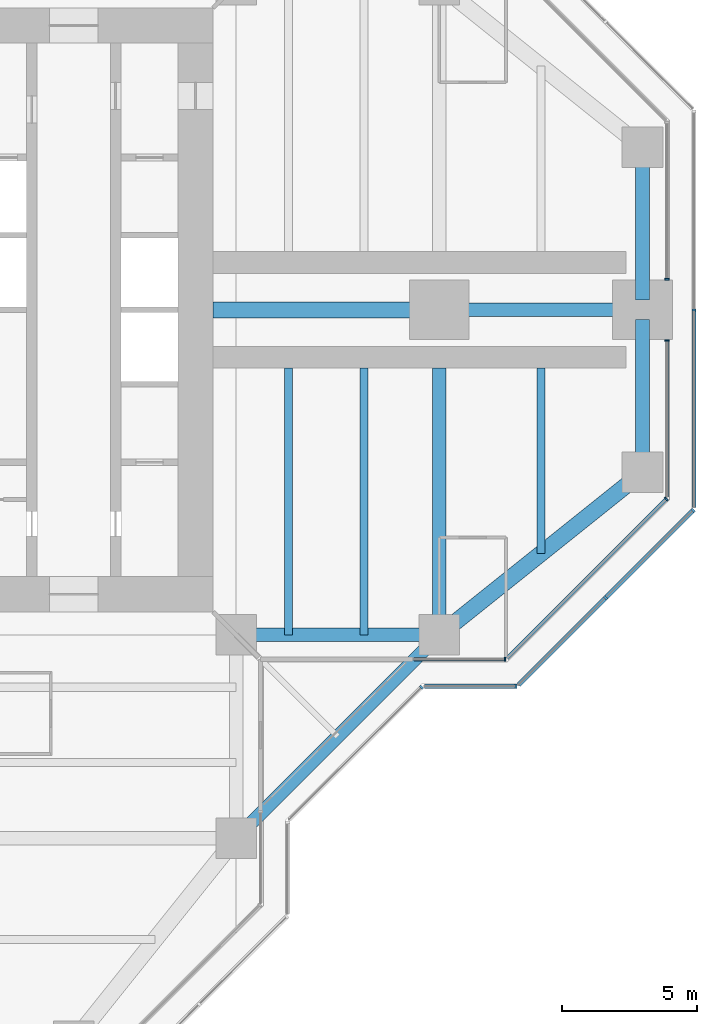
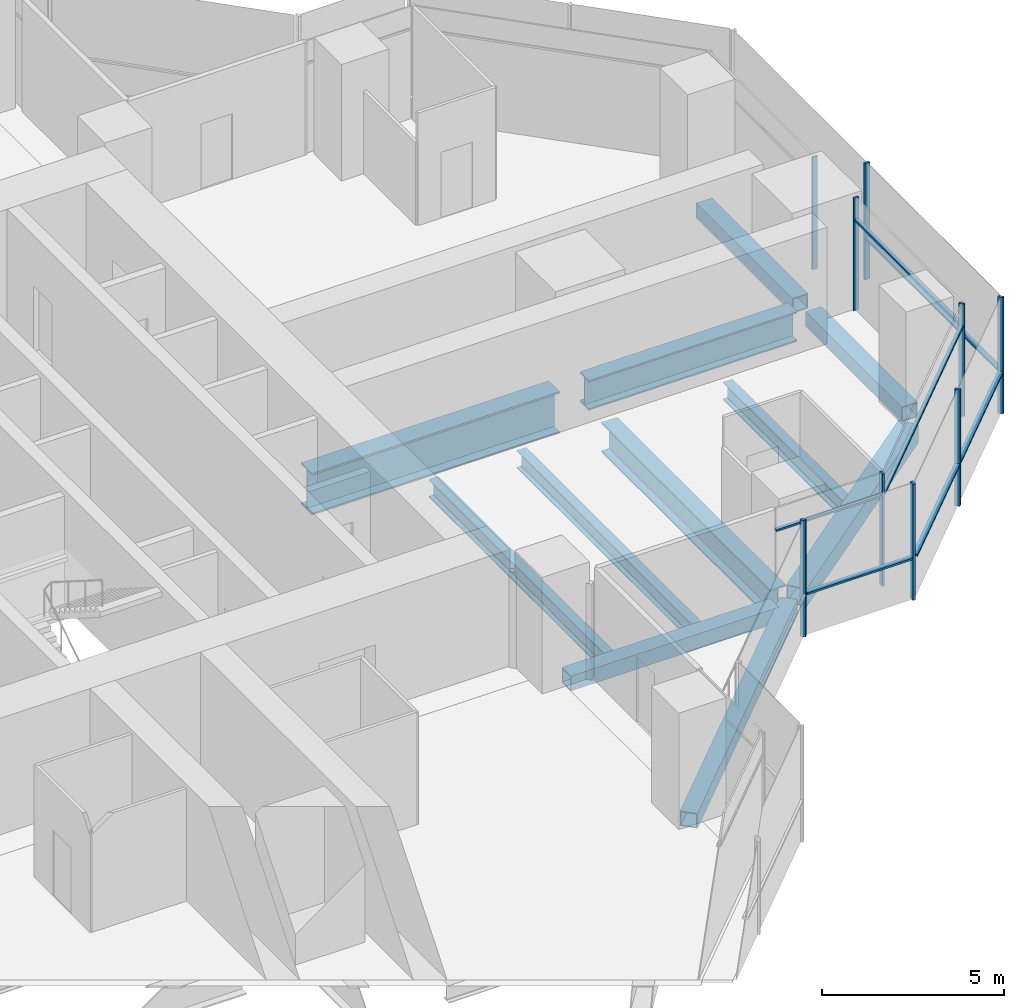
# One storey, part 5 of 17: 16 members, 11 beams, 8 elements without a shape of their own.
"""IFC4 building model written with IfcOpenShell, lengths in metres."""

import ifcopenshell
import ifcopenshell.guid

model = None  # the IFC model being written
_history = None  # IfcOwnerHistory: only IFC2X3 demands one
_inside = {}  # id of a spatial element -> (the spatial element, [elements in it])
_under = {}  # id of a project, library or spatial element -> (it, [spatial elements below it])
_declared = {}  # id of a project -> (the project, [libraries it declares])
_typed = {}  # id of a type object -> (the type object, [elements of that type])
_made_of = {}  # id of a material, layer set ... -> (it, [elements and type objects made of it])


def new_model(schema):
    """Start an empty IFC model of exactly this schema.

    Asked for "IFC4X3", IfcOpenShell would pick the latest addendum, in which some entities
    have other attributes; the version numbers below select the first issue.
    IFC2X3 requires an IfcOwnerHistory on every rooted entity: one is made here for all.
    """
    global model, _history
    if schema == "IFC4X3":
        model = ifcopenshell.file(schema_version=(4, 3, 0, 0))
    else:
        model = ifcopenshell.file(schema=schema)
    _inside.clear()
    _under.clear()
    _declared.clear()
    _typed.clear()
    _made_of.clear()
    _history = None
    if model.schema == "IFC2X3":
        org = make("IfcOrganization", Name="unknown")
        user = make(
            "IfcPersonAndOrganization",
            ThePerson=make("IfcPerson", FamilyName="unknown"),
            TheOrganization=org,
        )
        app = make(
            "IfcApplication",
            ApplicationDeveloper=org,
            Version="unknown",
            ApplicationFullName="unknown",
            ApplicationIdentifier="unknown",
        )
        _history = make(
            "IfcOwnerHistory",
            OwningUser=user,
            OwningApplication=app,
            ChangeAction="ADDED",
            CreationDate=0,
        )
    return model


def make(cls, **values):
    """One entity of the class cls with the attributes given. An attribute that is None is left unset."""
    return model.create_entity(
        cls, **{name: value for name, value in values.items() if value is not None}
    )


def rooted(cls, **values):
    """An entity with a GlobalId (a new one), such as an element, a storey or a relation."""
    return make(cls, GlobalId=ifcopenshell.guid.new(), OwnerHistory=_history, **values)


def si_unit(unit_type, name, prefix=None):
    """IfcSIUnit, for example si_unit("LENGTHUNIT", "METRE", prefix="MILLI")."""
    return make("IfcSIUnit", UnitType=unit_type, Prefix=prefix, Name=name)


def assignment(units):
    """IfcUnitAssignment: the units of a project."""
    return None if units is None else make("IfcUnitAssignment", Units=units)


def point(xyz):
    """IfcCartesianPoint."""
    return None if xyz is None else make("IfcCartesianPoint", Coordinates=xyz)


def direction(xyz):
    """IfcDirection."""
    return None if xyz is None else make("IfcDirection", DirectionRatios=xyz)


def frame(location, z_axis=None, x_axis=None):
    """IfcAxis2Placement3D, a coordinate frame: its origin and axes. An axis left out is left unset."""
    return make(
        "IfcAxis2Placement3D",
        Location=point(location),
        Axis=direction(z_axis),
        RefDirection=direction(x_axis),
    )


def frame_2d(location, x_axis=None):
    """IfcAxis2Placement2D, a coordinate frame in the plane: its origin and x axis."""
    return make(
        "IfcAxis2Placement2D", Location=point(location), RefDirection=direction(x_axis)
    )


def origin():
    """The frame at (0, 0, 0) with its axes left unset."""
    return frame((0.0, 0.0, 0.0))


def origin_2d():
    """The frame at (0, 0) in the plane with its x axis left unset."""
    return frame_2d((0.0, 0.0))


def place(relative_to, where):
    """IfcLocalPlacement: puts the frame where relative to a parent placement (None: the world)."""
    return make(
        "IfcLocalPlacement", PlacementRelTo=relative_to, RelativePlacement=where
    )


def context(
    kind, dimensions, precision=None, world=None, true_north=None, identifier=None
):
    """IfcGeometricRepresentationContext, for example the 3D "Model" context."""
    return make(
        "IfcGeometricRepresentationContext",
        ContextIdentifier=identifier,
        ContextType=kind,
        CoordinateSpaceDimension=dimensions,
        Precision=precision,
        WorldCoordinateSystem=world,
        TrueNorth=true_north,
    )


def subcontext(parent, identifier, kind, view, scale=None):
    """IfcGeometricRepresentationSubContext, for example "Body" below "Model"."""
    return make(
        "IfcGeometricRepresentationSubContext",
        ContextIdentifier=identifier,
        ContextType=kind,
        ParentContext=parent,
        TargetScale=scale,
        TargetView=view,
    )


def project(units=None, contexts=None):
    """IfcProject with its units and contexts."""
    return rooted(
        "IfcProject",
        Name="project",
        RepresentationContexts=contexts,
        UnitsInContext=assignment(units),
    )


def spatial(cls, under=None, at=None, **own):
    """A site, building, storey or space (cls), placed at a placement, below another one or the project."""
    s = rooted(cls, ObjectPlacement=at, **own)
    if under is not None:
        _under.setdefault(under.id(), (under, []))[1].append(s)
    return s


def profile(cls, at=None, kind="AREA", **sizes):
    """A parametric profile (cls). Its sizes go by their IFC names, for example OverallWidth=200.0."""
    return make(cls, ProfileType=kind, Position=at, **sizes)


def rectangle(**sizes):
    """IfcRectangleProfileDef."""
    return profile("IfcRectangleProfileDef", **sizes)


def hollow_rectangle(**sizes):
    """IfcRectangleHollowProfileDef."""
    return profile("IfcRectangleHollowProfileDef", **sizes)


def i_section(**sizes):
    """IfcIShapeProfileDef."""
    return profile("IfcIShapeProfileDef", **sizes)


def extrude(swept, where, along, depth):
    """IfcExtrudedAreaSolid: the profile swept, set in the frame where, extruded along a direction by depth."""
    return make(
        "IfcExtrudedAreaSolid",
        SweptArea=swept,
        Position=where,
        ExtrudedDirection=direction(along),
        Depth=depth,
    )


def shape(context_of_items, identifier, shape_type, items):
    """IfcShapeRepresentation: the items that make up one representation, for example the "Body"."""
    return make(
        "IfcShapeRepresentation",
        ContextOfItems=context_of_items,
        RepresentationIdentifier=identifier,
        RepresentationType=shape_type,
        Items=items,
    )


def material(Name=None, Category=None):
    """IfcMaterial."""
    return make("IfcMaterial", Name=Name, Category=Category)


def material_profile(
    of_material, cross_section, Name=None, Category=None, Priority=None
):
    """IfcMaterialProfile: a cross section and its material."""
    return make(
        "IfcMaterialProfile",
        Name=Name,
        Material=of_material,
        Profile=cross_section,
        Priority=Priority,
        Category=Category,
    )


def profile_set(profiles, Name=None, composite=None):
    """IfcMaterialProfileSet."""
    return make(
        "IfcMaterialProfileSet",
        Name=Name,
        MaterialProfiles=profiles,
        CompositeProfile=composite,
    )


def made_of(thing, what):
    """Note that an element or type object is made of a material, layer set ...; save() writes the relation."""
    if what is not None:
        _made_of.setdefault(what.id(), (what, []))[1].append(thing)
    return thing


def type_object(cls, material=None, **own):
    """A type object (cls), such as IfcWallType, which elements share."""
    return made_of(rooted(cls, **own), material)


def element(
    cls,
    number,
    at=None,
    inside=None,
    cuts=None,
    type_object=None,
    material=None,
    context=None,
    identifier="Body",
    shape_type=None,
    held_by="IfcProductDefinitionShape",
    body=None,
    shapes=None,
    **own,
):
    """One element of the class cls, such as IfcWall. Its Tag is "e" and its number.

    at: its placement. inside: the storey or other place that contains it. cuts: it is an
    opening in that element (IfcRelVoidsElement). A single representation is given by context,
    identifier, shape_type and body (its items); several are given by shapes. held_by: the class
    of the entity that holds the representations. save() writes the other relations.
    """
    e = rooted(cls, Tag="e%d" % number, ObjectPlacement=at, **own)
    if body is not None:
        shapes = [shape(context, identifier, shape_type, body)]
    if shapes is not None:
        e.Representation = make(held_by, Representations=shapes)
    if inside is not None:
        _inside.setdefault(inside.id(), (inside, []))[1].append(e)
    if cuts is not None:
        rooted(
            "IfcRelVoidsElement", RelatingBuildingElement=cuts, RelatedOpeningElement=e
        )
    if type_object is not None:
        _typed.setdefault(type_object.id(), (type_object, []))[1].append(e)
    return made_of(e, material)


def aggregate(whole, parts):
    """IfcRelAggregates: a whole, such as a stair, and the parts it consists of."""
    return rooted("IfcRelAggregates", RelatingObject=whole, RelatedObjects=parts)


def save(model, path):
    """Write the relations noted so far, then the file.

    IfcRelAggregates (storeys below a building ...), IfcRelContainedInSpatialStructure (elements
    in a storey), IfcRelDefinesByType, IfcRelAssociatesMaterial and IfcRelDeclares: one each for
    every whole, place, type object, material and project.
    """
    for whole, parts in _under.values():
        aggregate(whole, parts)
    for where, things in _inside.values():
        rooted(
            "IfcRelContainedInSpatialStructure",
            RelatedElements=things,
            RelatingStructure=where,
        )
    for kind, things in _typed.values():
        rooted("IfcRelDefinesByType", RelatedObjects=things, RelatingType=kind)
    for what, things in _made_of.values():
        rooted("IfcRelAssociatesMaterial", RelatedObjects=things, RelatingMaterial=what)
    for by, libraries in _declared.values():
        rooted("IfcRelDeclares", RelatingContext=by, RelatedDefinitions=libraries)
    model.write(path)


model = new_model("IFC4")

# Units and contexts
model_context = context("Model", 3, precision=1e-05, world=origin(), true_north=direction((0.0, 1.0)))
body_context = subcontext(model_context, "Body", "Model", "MODEL_VIEW")
ifc_project = project(units=[si_unit("LENGTHUNIT", "METRE"), si_unit("AREAUNIT", "SQUARE_METRE"), si_unit("VOLUMEUNIT", "CUBIC_METRE"), si_unit("PLANEANGLEUNIT", "RADIAN"), si_unit("MASSUNIT", "GRAM", prefix="KILO")], contexts=[model_context])

# Site, building, storey
site_placement = place(None, origin())
site = spatial("IfcSite", under=ifc_project, at=site_placement, CompositionType="ELEMENT")
building_placement = place(site_placement, origin())
building = spatial("IfcBuilding", under=site, at=building_placement, Name="Mizan Broadcast Tower", CompositionType="ELEMENT")
storey_placement = place(building_placement, frame((0.0, 0.0, 251.699951171875)))
storey = spatial("IfcBuildingStorey", under=building, at=storey_placement, Name="L59", CompositionType="ELEMENT", Elevation=251.699951171875)

# Beams
ifc_material_1 = material(Name="Steel S355", Category="steel")
ifc_material_profile_1 = material_profile(ifc_material_1, hollow_rectangle(XDim=0.5, YDim=0.5, WallThickness=0.030029296875, at=origin_2d()), Name="BOX 500x500x30")
ifc_profile_set_1 = profile_set([ifc_material_profile_1], Name="Steel S355")
beam_type_1 = type_object("IfcBeamType", Name="EDGE BEAM BOX 500x500x30", PredefinedType="SPANDREL", material=ifc_profile_set_1)
beam_1_placement = place(storey_placement, frame((12.449951171875, -12.0, -0.3798828125), z_axis=(1.0, 0.0, 0.0), x_axis=(0.0, 1.0, 0.0)))
element("IfcBeam", 1, at=beam_1_placement, inside=storey, type_object=beam_type_1, Name="Edge beam BOX 500x500x30 L59 east arm", PredefinedType="SPANDREL", context=body_context, shape_type="SweptSolid", body=[
    extrude(hollow_rectangle(XDim=0.5, YDim=0.5, WallThickness=0.030029296875, at=origin_2d()), origin(), (0.0, 0.0, 1.0), 6.60009765625),
])
for number, where, z_axis, x_axis, name in (
    (2, (27.0, -5.639892578125, -0.3798828125), (0.0, 1.0, 0.0), (-1.0, 0.0, 0.0), "Edge beam BOX 500x500x30 L59 east arm"),
    (3, (27.0, 5.639892578125, -0.3798828125), (0.0, -1.0, 0.0), (1.0, 0.0, 0.0), "Edge beam BOX 500x500x30 L59 east arm"),
):
    element("IfcBeam", number, at=place(storey_placement, frame(where, z_axis=z_axis, x_axis=x_axis)), inside=storey, type_object=beam_type_1, Name=name, PredefinedType="SPANDREL", context=body_context, shape_type="SweptSolid", body=[
        extrude(hollow_rectangle(XDim=0.5, YDim=0.5, WallThickness=0.030029296875, at=origin_2d()), origin(), (0.0, 0.0, 1.0), 5.27978515625),
    ])
beam_2_placement = place(storey_placement, frame((12.0, -19.5, -0.3798828125), z_axis=(0.707106781187, 0.707106781187, 0.0), x_axis=(-0.707106781187, 0.707106781187, 0.0)))
element("IfcBeam", 4, at=beam_2_placement, inside=storey, type_object=beam_type_1, Name="Winter garden edge beam L59 S", PredefinedType="SPANDREL", context=body_context, shape_type="SweptSolid", body=[
    extrude(hollow_rectangle(XDim=0.5, YDim=0.5, WallThickness=0.030029296875, at=origin_2d()), origin(), (0.0, 0.0, 1.0), 10.606689453125),
])
ifc_material_2 = material(Name="Steel S355", Category="steel")
ifc_material_profile_2 = material_profile(ifc_material_2, hollow_rectangle(XDim=0.60009765625, YDim=0.60009765625, WallThickness=0.030029296875, at=origin_2d()), Name="BOX 600x600x30")
ifc_profile_set_2 = profile_set([ifc_material_profile_2], Name="Steel S355")
beam_type_2 = type_object("IfcBeamType", Name="EDGE BEAM BOX 600x600x30", PredefinedType="SPANDREL", material=ifc_profile_set_2)
beam_3_placement = place(storey_placement, frame((19.949951171875, -11.639892578125, -0.429931640625), z_axis=(0.780885717636, 0.624673911726, 0.0), x_axis=(-0.624673911726, 0.780885717636, 0.0)))
element("IfcBeam", 5, at=beam_3_placement, inside=storey, type_object=beam_type_2, Name="Edge beam BOX 600x600x30 L59 east arm", PredefinedType="SPANDREL", context=body_context, shape_type="SweptSolid", body=[
    extrude(hollow_rectangle(XDim=0.60009765625, YDim=0.60009765625, WallThickness=0.030029296875, at=origin_2d()), origin(), (0.0, 0.0, 1.0), 8.4521484375),
])
ifc_material_3 = material(Name="Steel S460", Category="steel")
ifc_material_profile_3 = material_profile(ifc_material_3, i_section(OverallWidth=0.5, OverallDepth=1.0, WebThickness=0.02490234375, FlangeThickness=0.050048828125, at=origin_2d()), Name="WPG 1000x500")
ifc_profile_set_3 = profile_set([ifc_material_profile_3], Name="Steel S460")
beam_type_3 = type_object("IfcBeamType", Name="GIRDER WPG 1000x500", PredefinedType="BEAM", material=ifc_profile_set_3)
beam_4_placement = place(storey_placement, frame((19.949951171875, 0.0, -0.6298828125), z_axis=(1.0, 0.0, 0.0), x_axis=(0.0, 1.0, 0.0)))
element("IfcBeam", 6, at=beam_4_placement, inside=storey, type_object=beam_type_3, Name="Girder WPG 1000x500 L59 east arm", PredefinedType="BEAM", context=body_context, shape_type="SweptSolid", body=[
    extrude(i_section(OverallWidth=0.5, OverallDepth=1.0, WebThickness=0.02490234375, FlangeThickness=0.050048828125, at=origin_2d()), origin(), (0.0, 0.0, 1.0), 6.60009765625),
])
beam_5_placement = place(storey_placement, frame((19.5, -11.408935546875, -0.6298828125), z_axis=(0.0, 1.0, 0.0), x_axis=(-1.0, 0.0, 0.0)))
element("IfcBeam", 7, at=beam_5_placement, inside=storey, type_object=beam_type_3, Name="Girder WPG 1000x500 L59 east arm", PredefinedType="BEAM", context=body_context, shape_type="SweptSolid", body=[
    extrude(i_section(OverallWidth=0.5, OverallDepth=1.0, WebThickness=0.02490234375, FlangeThickness=0.050048828125, at=origin_2d()), origin(), (0.0, 0.0, 1.0), 9.259033203125),
])
ifc_material_4 = material(Name="Steel S460", Category="steel")
ifc_material_profile_4 = material_profile(ifc_material_4, i_section(OverallWidth=0.60009765625, OverallDepth=1.39990234375, WebThickness=0.02490234375, FlangeThickness=0.06005859375, at=origin_2d()), Name="WPG 1400x600")
ifc_profile_set_4 = profile_set([ifc_material_profile_4], Name="Steel S460")
beam_type_4 = type_object("IfcBeamType", Name="GIRDER WPG 1400x600", PredefinedType="BEAM", material=ifc_profile_set_4)
beam_6_placement = place(storey_placement, frame((11.14990234375, 0.0, -0.829833984375), z_axis=(1.0, 0.0, 0.0), x_axis=(0.0, 1.0, 0.0)))
element("IfcBeam", 8, at=beam_6_placement, inside=storey, type_object=beam_type_4, Name="Girder WPG 1400x600 L59 east arm", PredefinedType="BEAM", context=body_context, shape_type="SweptSolid", body=[
    extrude(i_section(OverallWidth=0.60009765625, OverallDepth=1.39990234375, WebThickness=0.02490234375, FlangeThickness=0.06005859375, at=origin_2d()), origin(), (0.0, 0.0, 1.0), 7.84912109375),
])

# Curtain wall, member
ifc_material_5 = material(Name="Aluminium framed glazing", Category="aluminium")
curtain_wall_type_1 = type_object("IfcCurtainWallType", Name="INNER SKIN HIGH ZONE", PredefinedType="USERDEFINED", material=ifc_material_5)
curtain_wall_1_placement = place(storey_placement, origin())
curtain_wall_1 = element("IfcCurtainWall", 9, at=curtain_wall_1_placement, inside=storey, type_object=curtain_wall_type_1, Name="Inner skin high zone L59 E side", ObjectType="INNER SKIN HIGH ZONE", PredefinedType="USERDEFINED")
ifc_material_6 = material(Name="Aluminium, pale anodised", Category="aluminium")
ifc_material_profile_5 = material_profile(ifc_material_6, rectangle(XDim=0.159912109375, YDim=0.06005859375, at=origin_2d()), Name="MULLION 160x60")
ifc_profile_set_5 = profile_set([ifc_material_profile_5], Name="Aluminium, pale anodised")
member_type_1 = type_object("IfcMemberType", Name="INNER SKIN MULLION 60x160", PredefinedType="MULLION", material=ifc_profile_set_5)
member_1_placement = place(storey_placement, frame((21.928466796875, -12.89990234375, 0.0), z_axis=(0.0, 0.0, 1.0), x_axis=(0.0, 1.0, 0.0)))
member_1 = element("IfcMember", 10, at=member_1_placement, type_object=member_type_1, Name="Inner skin high zone L59 E side mullion 2", PredefinedType="MULLION", context=body_context, shape_type="SweptSolid", body=[
    extrude(rectangle(XDim=0.159912109375, YDim=0.06005859375, at=origin_2d()), origin(), (0.0, 0.0, 1.0), 3.77001953125),
])

curtain_wall_2_placement = place(storey_placement, origin())
curtain_wall_2 = element("IfcCurtainWall", 11, at=curtain_wall_2_placement, inside=storey, type_object=curtain_wall_type_1, Name="Inner skin high zone L59 E chamfer", ObjectType="INNER SKIN HIGH ZONE", PredefinedType="USERDEFINED")
member_2_placement = place(storey_placement, frame((27.87890625, -6.979736328125, 0.0), z_axis=(0.0, 0.0, 1.0), x_axis=(-0.707106781187, 0.707106781187, 0.0)))
member_2 = element("IfcMember", 12, at=member_2_placement, type_object=member_type_1, Name="Inner skin high zone L59 E chamfer mullion 2", PredefinedType="MULLION", context=body_context, shape_type="SweptSolid", body=[
    extrude(rectangle(XDim=0.159912109375, YDim=0.06005859375, at=origin_2d()), origin(), (0.0, 0.0, 1.0), 3.77001953125),
])

curtain_wall_3_placement = place(storey_placement, origin())
curtain_wall_3 = element("IfcCurtainWall", 13, at=curtain_wall_3_placement, inside=storey, type_object=curtain_wall_type_1, Name="Inner skin high zone L59 E end", ObjectType="INNER SKIN HIGH ZONE", PredefinedType="USERDEFINED")
member_3_placement = place(storey_placement, frame((27.89990234375, -1.1298828125, 0.0), z_axis=(0.0, 0.0, 1.0), x_axis=(-1.0, 0.0, 0.0)))
member_3 = element("IfcMember", 14, at=member_3_placement, type_object=member_type_1, Name="Inner skin high zone L59 E end mullion 2", PredefinedType="MULLION", context=body_context, shape_type="SweptSolid", body=[
    extrude(rectangle(XDim=0.159912109375, YDim=0.06005859375, at=origin_2d()), origin(), (0.0, 0.0, 1.0), 3.77001953125),
])

curtain_wall_4_placement = place(storey_placement, origin())
curtain_wall_4 = element("IfcCurtainWall", 15, at=curtain_wall_4_placement, inside=storey, type_object=curtain_wall_type_1, Name="Inner skin high zone L59 E end", ObjectType="INNER SKIN HIGH ZONE", PredefinedType="USERDEFINED")
member_4_placement = place(storey_placement, frame((27.89990234375, 1.1298828125, 0.0), z_axis=(0.0, 0.0, 1.0), x_axis=(-1.0, 0.0, 0.0)))
member_4 = element("IfcMember", 16, at=member_4_placement, type_object=member_type_1, Name="Inner skin high zone L59 E end mullion 1", PredefinedType="MULLION", context=body_context, shape_type="SweptSolid", body=[
    extrude(rectangle(XDim=0.159912109375, YDim=0.06005859375, at=origin_2d()), origin(), (0.0, 0.0, 1.0), 3.77001953125),
])
aggregate(curtain_wall_4, [member_4])

# Member
ifc_material_7 = material(Name="Aluminium, pale anodised", Category="aluminium")
ifc_material_profile_6 = material_profile(ifc_material_7, rectangle(XDim=0.1201171875, YDim=0.06005859375, at=origin_2d()), Name="TRANSOM 120x60")
ifc_profile_set_6 = profile_set([ifc_material_profile_6], Name="Aluminium, pale anodised")
member_type_2 = type_object("IfcMemberType", Name="INNER SKIN TRANSOM 60x120", PredefinedType="USERDEFINED", material=ifc_profile_set_6)
member_5_placement = place(storey_placement, frame((18.56005859375, -12.89990234375, 3.030029296875), z_axis=(1.0, 0.0, 0.0), x_axis=(0.0, 1.0, 0.0)))
member_5 = element("IfcMember", 17, at=member_5_placement, type_object=member_type_2, Name="Inner skin high zone L59 E side transom 1.1", ObjectType="TRANSOM", PredefinedType="USERDEFINED", context=body_context, shape_type="SweptSolid", body=[
    extrude(rectangle(XDim=0.1201171875, YDim=0.06005859375, at=origin_2d()), origin(), (0.0, 0.0, 1.0), 3.338623046875),
])

aggregate(curtain_wall_1, [member_1, member_5])

member_6_placement = place(storey_placement, frame((22.0009765625, -12.857666015625, 3.030029296875), z_axis=(0.707106781187, 0.707106781187, 0.0), x_axis=(-0.707106781187, 0.707106781187, 0.0)))
member_6 = element("IfcMember", 18, at=member_6_placement, type_object=member_type_2, Name="Inner skin high zone L59 E chamfer transom 1.1", ObjectType="TRANSOM", PredefinedType="USERDEFINED", context=body_context, shape_type="SweptSolid", body=[
    extrude(rectangle(XDim=0.1201171875, YDim=0.06005859375, at=origin_2d()), origin(), (0.0, 0.0, 1.0), 8.28271484375),
])

aggregate(curtain_wall_2, [member_2, member_6])

member_7_placement = place(storey_placement, frame((27.89990234375, -6.898681640625, 3.030029296875), z_axis=(0.0, 1.0, 0.0), x_axis=(-1.0, 0.0, 0.0)))
member_7 = element("IfcMember", 19, at=member_7_placement, type_object=member_type_2, Name="Inner skin high zone L59 E end transom 1.1", ObjectType="TRANSOM", PredefinedType="USERDEFINED", context=body_context, shape_type="SweptSolid", body=[
    extrude(rectangle(XDim=0.1201171875, YDim=0.06005859375, at=origin_2d()), origin(), (0.0, 0.0, 1.0), 5.73876953125),
])

aggregate(curtain_wall_3, [member_3, member_7])

# Curtain wall, members
ifc_material_8 = material(Name="Aluminium framed glazing", Category="aluminium")
curtain_wall_type_2 = type_object("IfcCurtainWallType", Name="OUTER SKIN", PredefinedType="USERDEFINED", material=ifc_material_8)
curtain_wall_5_placement = place(storey_placement, origin())
curtain_wall_5 = element("IfcCurtainWall", 20, at=curtain_wall_5_placement, inside=storey, type_object=curtain_wall_type_2, Name="Outer skin L59 E chamfer", ObjectType="OUTER SKIN", PredefinedType="USERDEFINED")
ifc_material_9 = material(Name="Aluminium, pale anodised", Category="aluminium")
ifc_material_profile_7 = material_profile(ifc_material_9, rectangle(XDim=0.159912109375, YDim=0.080078125, at=origin_2d()), Name="MULLION 160x80")
ifc_profile_set_7 = profile_set([ifc_material_profile_7], Name="Aluminium, pale anodised")
member_type_3 = type_object("IfcMemberType", Name="OUTER SKIN MULLION 80x160", PredefinedType="MULLION", material=ifc_profile_set_7)
member_8_placement = place(storey_placement, frame((25.636474609375, -10.636474609375, 0.0), z_axis=(0.0, 0.0, 1.0), x_axis=(-0.707106781187, 0.707106781187, 0.0)))
member_8 = element("IfcMember", 21, at=member_8_placement, type_object=member_type_3, Name="Outer skin L59 E chamfer mullion 2", PredefinedType="MULLION", context=body_context, shape_type="SweptSolid", body=[
    extrude(rectangle(XDim=0.159912109375, YDim=0.080078125, at=origin_2d()), origin(), (0.0, 0.0, 1.0), 3.900146484375),
])
member_9_placement = place(storey_placement, frame((28.871826171875, -7.401123046875, 0.0), z_axis=(0.0, 0.0, 1.0), x_axis=(-0.707106781187, 0.707106781187, 0.0)))
member_9 = element("IfcMember", 22, at=member_9_placement, type_object=member_type_3, Name="Outer skin L59 E chamfer mullion 3", PredefinedType="MULLION", context=body_context, shape_type="SweptSolid", body=[
    extrude(rectangle(XDim=0.159912109375, YDim=0.080078125, at=origin_2d()), origin(), (0.0, 0.0, 1.0), 3.900146484375),
])

# Curtain wall, member
curtain_wall_6_placement = place(storey_placement, origin())
curtain_wall_6 = element("IfcCurtainWall", 23, at=curtain_wall_6_placement, inside=storey, type_object=curtain_wall_type_2, Name="Outer skin L59 E end", ObjectType="OUTER SKIN", PredefinedType="USERDEFINED")
member_10_placement = place(storey_placement, frame((28.89990234375, 0.0, 0.0), z_axis=(0.0, 0.0, 1.0), x_axis=(-1.0, 0.0, 0.0)))
member_10 = element("IfcMember", 24, at=member_10_placement, type_object=member_type_3, Name="Outer skin L59 E end mullion 2", PredefinedType="MULLION", context=body_context, shape_type="SweptSolid", body=[
    extrude(rectangle(XDim=0.159912109375, YDim=0.080078125, at=origin_2d()), origin(), (0.0, 0.0, 1.0), 3.900146484375),
])

curtain_wall_7_placement = place(storey_placement, origin())
curtain_wall_7 = element("IfcCurtainWall", 25, at=curtain_wall_7_placement, inside=storey, type_object=curtain_wall_type_2, Name="Outer skin L59 E chamfer", ObjectType="OUTER SKIN", PredefinedType="USERDEFINED")
member_11_placement = place(storey_placement, frame((18.844482421875, -13.92822265625, 0.0), z_axis=(0.0, 0.0, 1.0), x_axis=(-0.707106781187, 0.707106781187, 0.0)))
member_11 = element("IfcMember", 26, at=member_11_placement, type_object=member_type_3, Name="Outer skin L59 E chamfer mullion 2", PredefinedType="MULLION", context=body_context, shape_type="SweptSolid", body=[
    extrude(rectangle(XDim=0.159912109375, YDim=0.080078125, at=origin_2d()), origin(), (0.0, 0.0, 1.0), 3.900146484375),
])
aggregate(curtain_wall_7, [member_11])

curtain_wall_8_placement = place(storey_placement, origin())
curtain_wall_8 = element("IfcCurtainWall", 27, at=curtain_wall_8_placement, inside=storey, type_object=curtain_wall_type_2, Name="Outer skin L59 E side", ObjectType="OUTER SKIN", PredefinedType="USERDEFINED")
member_12_placement = place(storey_placement, frame((22.332763671875, -13.89990234375, 0.0), z_axis=(0.0, 0.0, 1.0), x_axis=(0.0, 1.0, 0.0)))
member_12 = element("IfcMember", 28, at=member_12_placement, type_object=member_type_3, Name="Outer skin L59 E side mullion 2", PredefinedType="MULLION", context=body_context, shape_type="SweptSolid", body=[
    extrude(rectangle(XDim=0.159912109375, YDim=0.080078125, at=origin_2d()), origin(), (0.0, 0.0, 1.0), 3.900146484375),
])

# Member
ifc_material_10 = material(Name="Aluminium, pale anodised", Category="aluminium")
ifc_material_profile_8 = material_profile(ifc_material_10, rectangle(XDim=0.159912109375, YDim=0.06005859375, at=origin_2d()), Name="TRANSOM 160x60")
ifc_profile_set_8 = profile_set([ifc_material_profile_8], Name="Aluminium, pale anodised")
member_type_4 = type_object("IfcMemberType", Name="OUTER SKIN TRANSOM 60x160", PredefinedType="USERDEFINED", material=ifc_profile_set_8)
member_13_placement = place(storey_placement, frame((22.429443359375, -13.843505859375, 1.400146484375), z_axis=(0.707106781187, 0.707106781187, 0.0), x_axis=(-0.707106781187, 0.707106781187, 0.0)))
member_13 = element("IfcMember", 29, at=member_13_placement, type_object=member_type_4, Name="Outer skin L59 E chamfer transom 1.1", ObjectType="TRANSOM", PredefinedType="USERDEFINED", context=body_context, shape_type="SweptSolid", body=[
    extrude(rectangle(XDim=0.159912109375, YDim=0.06005859375, at=origin_2d()), origin(), (0.0, 0.0, 1.0), 4.495361328125),
])

member_14_placement = place(storey_placement, frame((25.664794921875, -10.608154296875, 1.400146484375), z_axis=(0.707106781187, 0.707106781187, 0.0), x_axis=(-0.707106781187, 0.707106781187, 0.0)))
member_14 = element("IfcMember", 30, at=member_14_placement, type_object=member_type_4, Name="Outer skin L59 E chamfer transom 2.1", ObjectType="TRANSOM", PredefinedType="USERDEFINED", context=body_context, shape_type="SweptSolid", body=[
    extrude(rectangle(XDim=0.159912109375, YDim=0.06005859375, at=origin_2d()), origin(), (0.0, 0.0, 1.0), 4.495361328125),
])

aggregate(curtain_wall_5, [member_8, member_9, member_13, member_14])

member_15_placement = place(storey_placement, frame((28.89990234375, -7.292724609375, 1.400146484375), z_axis=(0.0, 1.0, 0.0), x_axis=(-1.0, 0.0, 0.0)))
member_15 = element("IfcMember", 31, at=member_15_placement, type_object=member_type_4, Name="Outer skin L59 E end transom 1.1", ObjectType="TRANSOM", PredefinedType="USERDEFINED", context=body_context, shape_type="SweptSolid", body=[
    extrude(rectangle(XDim=0.159912109375, YDim=0.06005859375, at=origin_2d()), origin(), (0.0, 0.0, 1.0), 7.252685546875),
])

aggregate(curtain_wall_6, [member_10, member_15])

member_16_placement = place(storey_placement, frame((18.952880859375, -13.89990234375, 1.400146484375), z_axis=(1.0, 0.0, 0.0), x_axis=(0.0, 1.0, 0.0)))
member_16 = element("IfcMember", 32, at=member_16_placement, type_object=member_type_4, Name="Outer skin L59 E side transom 1.1", ObjectType="TRANSOM", PredefinedType="USERDEFINED", context=body_context, shape_type="SweptSolid", body=[
    extrude(rectangle(XDim=0.159912109375, YDim=0.06005859375, at=origin_2d()), origin(), (0.0, 0.0, 1.0), 3.33984375),
])

aggregate(curtain_wall_8, [member_12, member_16])

# Beams
ifc_material_11 = material(Name="Steel S355", Category="steel")
ifc_material_profile_9 = material_profile(ifc_material_11, i_section(OverallWidth=0.300048828125, OverallDepth=0.590087890625, WebThickness=0.012939453125, FlangeThickness=0.02490234375, FilletRadius=0.027099609375, at=origin_2d()), Name="HEA 600")
ifc_profile_set_9 = profile_set([ifc_material_profile_9], Name="Steel S355")
beam_type_5 = type_object("IfcBeamType", Name="SECONDARY BEAM HEA 600", PredefinedType="JOIST", material=ifc_profile_set_9)
for number, where, z_axis, x_axis, name in (
    (33, (13.933349609375, -12.0, -0.425048828125), (0.0, 1.0, 0.0), (-1.0, 0.0, 0.0), "Secondary beam HEA 600 L59 east arm"),
    (34, (16.716552734375, -12.0, -0.425048828125), (0.0, 1.0, 0.0), (-1.0, 0.0, 0.0), "Secondary beam HEA 600 L59 east arm"),
):
    element("IfcBeam", number, at=place(storey_placement, frame(where, z_axis=z_axis, x_axis=x_axis)), inside=storey, type_object=beam_type_5, Name=name, PredefinedType="JOIST", context=body_context, shape_type="SweptSolid", body=[
        extrude(i_section(OverallWidth=0.300048828125, OverallDepth=0.590087890625, WebThickness=0.012939453125, FlangeThickness=0.02490234375, FilletRadius=0.027099609375, at=origin_2d()), origin(), (0.0, 0.0, 1.0), 9.85009765625),
    ])
beam_7_placement = place(storey_placement, frame((23.25, -9.0, -0.425048828125), z_axis=(0.0, 1.0, 0.0), x_axis=(-1.0, 0.0, 0.0)))
element("IfcBeam", 35, at=beam_7_placement, inside=storey, type_object=beam_type_5, Name="Secondary beam HEA 600 L59 east arm", PredefinedType="JOIST", context=body_context, shape_type="SweptSolid", body=[
    extrude(i_section(OverallWidth=0.300048828125, OverallDepth=0.590087890625, WebThickness=0.012939453125, FlangeThickness=0.02490234375, FilletRadius=0.027099609375, at=origin_2d()), origin(), (0.0, 0.0, 1.0), 6.85009765625),
])

save(model, "model.ifc")
